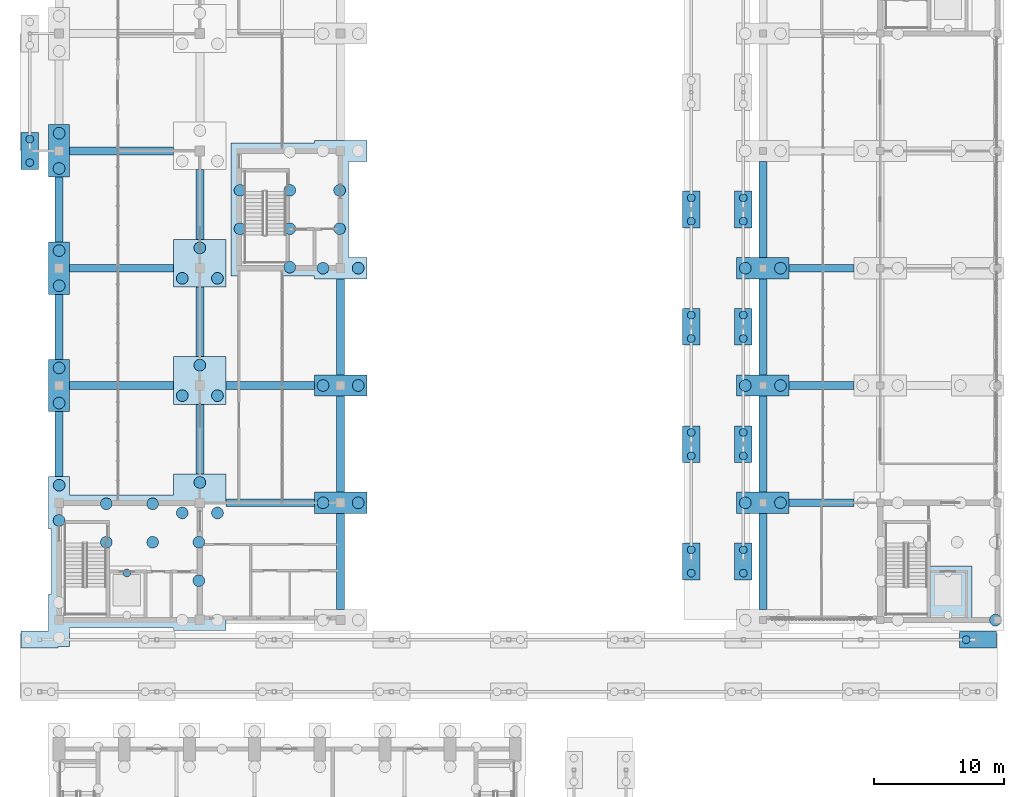
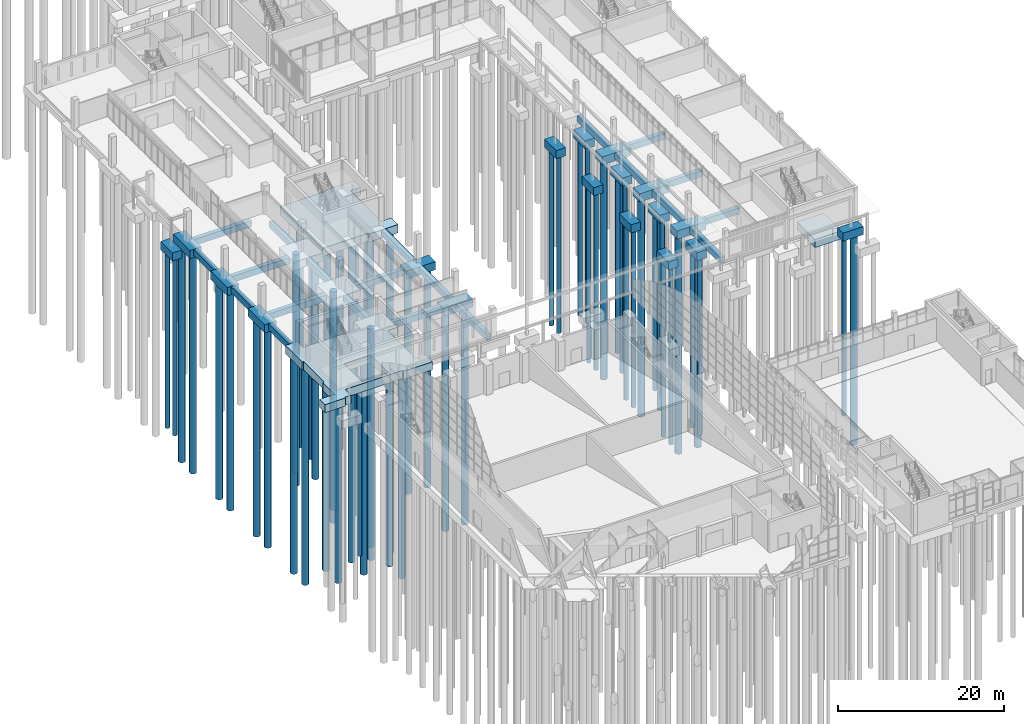
# One storey, part 4 of 106: 63 piles, 44 footings.
"""IFC4 building model written with IfcOpenShell, lengths in metres."""

from ifc_helpers import new_model, si_unit, direction, frame, origin, origin_2d, place, context, subcontext, project, spatial, polyline, circle, outline, extrude, material, material_profile, profile_set, type_object, element, save


model = new_model("IFC4")

# Units and contexts
model_context = context("Model", 3, precision=1e-05, world=origin(), true_north=direction((0.0, 1.0)))
body_context = subcontext(model_context, "Body", "Model", "MODEL_VIEW")
ifc_project = project(units=[si_unit("LENGTHUNIT", "METRE"), si_unit("AREAUNIT", "SQUARE_METRE"), si_unit("VOLUMEUNIT", "CUBIC_METRE"), si_unit("PLANEANGLEUNIT", "RADIAN"), si_unit("MASSUNIT", "GRAM", prefix="KILO")], contexts=[model_context])

# Site, building, storey
site_placement = place(None, origin())
site = spatial("IfcSite", under=ifc_project, at=site_placement, CompositionType="ELEMENT")
building_placement = place(site_placement, origin())
building = spatial("IfcBuilding", under=site, at=building_placement, Name="Merrow Basin Faculty of Sciences", CompositionType="ELEMENT")
storey_placement = place(building_placement, origin())
storey = spatial("IfcBuildingStorey", under=building, at=storey_placement, Name="L00", CompositionType="ELEMENT", Elevation=0.0)

# Piles
ifc_material_1 = material(Name="Concrete C40/50", Category="concrete")
ifc_material_profile_1 = material_profile(ifc_material_1, circle(Radius=0.300048828125, at=origin_2d()))
ifc_profile_set_1 = profile_set([ifc_material_profile_1], Name="Concrete C40/50")
pile_type_1 = type_object("IfcPileType", Name="Bored pile 600 Concrete C40/50", PredefinedType="BORED", material=ifc_profile_set_1)
for number, where, z_axis, x_axis, name in (
    (1, (-2.25, 96.10009765625, -1.39990234375), (0.0, 0.0, -1.0), (1.0, 0.0, 0.0), "BP 003"),
    (2, (-2.25, 97.89990234375, -1.39990234375), (0.0, 0.0, -1.0), (1.0, 0.0, 0.0), "BP 004"),
    (3, (48.5, 64.60009765625, -1.39990234375), (0.0, 0.0, -1.0), (1.0, 0.0, 0.0), "BP 363"),
    (4, (48.5, 66.39990234375, -1.39990234375), (0.0, 0.0, -1.0), (1.0, 0.0, 0.0), "BP 364"),
    (5, (48.5, 73.60009765625, -1.39990234375), (0.0, 0.0, -1.0), (1.0, 0.0, 0.0), "BP 365"),
    (6, (48.5, 75.39990234375, -1.39990234375), (0.0, 0.0, -1.0), (1.0, 0.0, 0.0), "BP 366"),
    (7, (48.5, 82.60009765625, -1.39990234375), (0.0, 0.0, -1.0), (1.0, 0.0, 0.0), "BP 367"),
    (8, (48.5, 84.39990234375, -1.39990234375), (0.0, 0.0, -1.0), (1.0, 0.0, 0.0), "BP 368"),
    (9, (48.5, 91.60009765625, -1.39990234375), (0.0, 0.0, -1.0), (1.0, 0.0, 0.0), "BP 369"),
    (10, (48.5, 93.39990234375, -1.39990234375), (0.0, 0.0, -1.0), (1.0, 0.0, 0.0), "BP 370"),
    (11, (52.5, 64.60009765625, -1.39990234375), (0.0, 0.0, -1.0), (1.0, 0.0, 0.0), "BP 387"),
    (12, (52.5, 66.39990234375, -1.39990234375), (0.0, 0.0, -1.0), (1.0, 0.0, 0.0), "BP 388"),
    (13, (52.5, 73.60009765625, -1.39990234375), (0.0, 0.0, -1.0), (1.0, 0.0, 0.0), "BP 389"),
    (14, (52.5, 75.39990234375, -1.39990234375), (0.0, 0.0, -1.0), (1.0, 0.0, 0.0), "BP 390"),
    (15, (52.5, 82.60009765625, -1.39990234375), (0.0, 0.0, -1.0), (1.0, 0.0, 0.0), "BP 391"),
    (16, (52.5, 84.39990234375, -1.39990234375), (0.0, 0.0, -1.0), (1.0, 0.0, 0.0), "BP 392"),
    (17, (52.5, 91.60009765625, -1.39990234375), (0.0, 0.0, -1.0), (1.0, 0.0, 0.0), "BP 393"),
    (18, (52.5, 93.39990234375, -1.39990234375), (0.0, 0.0, -1.0), (1.0, 0.0, 0.0), "BP 394"),
    (19, (69.60009765625, 59.5, -1.39990234375), (0.0, 0.0, -1.0), (1.0, 0.0, 0.0), "BP 490"),
    (20, (5.199951171875, 64.6201171875, -2.60009765625), (0.0, 0.0, -1.0), (1.0, 0.0, 0.0), "BP pit 519"),
):
    element("IfcPile", number, at=place(storey_placement, frame(where, z_axis=z_axis, x_axis=x_axis)), inside=storey, type_object=pile_type_1, Name=name, PredefinedType="BORED", context=body_context, shape_type="SweptSolid", body=[
        extrude(circle(Radius=0.300048828125, at=origin_2d()), origin(), (0.0, 0.0, 1.0), 26.10009765625),
    ])
ifc_material_2 = material(Name="Concrete C40/50", Category="concrete")
ifc_material_profile_2 = material_profile(ifc_material_2, circle(Radius=0.449951171875, at=origin_2d()))
ifc_profile_set_2 = profile_set([ifc_material_profile_2], Name="Concrete C40/50")
pile_type_2 = type_object("IfcPileType", Name="Bored pile 900 Concrete C40/50", PredefinedType="BORED", material=ifc_profile_set_2)
for number, where, z_axis, x_axis, name in (
    (21, (0.0, 68.64990234375, -1.39990234375), (0.0, 0.0, -1.0), (1.0, 0.0, 0.0), "BP 025"),
    (22, (0.0, 71.35009765625, -1.39990234375), (0.0, 0.0, -1.0), (1.0, 0.0, 0.0), "BP 026"),
    (23, (0.0, 77.64990234375, -1.39990234375), (0.0, 0.0, -1.0), (1.0, 0.0, 0.0), "BP 027"),
    (24, (0.0, 80.35009765625, -1.39990234375), (0.0, 0.0, -1.0), (1.0, 0.0, 0.0), "BP 028"),
    (25, (0.0, 86.64990234375, -1.39990234375), (0.0, 0.0, -1.0), (1.0, 0.0, 0.0), "BP 029"),
    (26, (0.0, 89.35009765625, -1.39990234375), (0.0, 0.0, -1.0), (1.0, 0.0, 0.0), "BP 030"),
    (27, (0.0, 95.64990234375, -1.39990234375), (0.0, 0.0, -1.0), (1.0, 0.0, 0.0), "BP 031"),
    (28, (0.0, 98.35009765625, -1.39990234375), (0.0, 0.0, -1.0), (1.0, 0.0, 0.0), "BP 032"),
    (29, (3.626953125, 66.972900390625, -1.39990234375), (0.0, 0.0, -1.0), (1.0, 0.0, 0.0), "BP 059"),
    (30, (3.626953125, 69.919921875, -1.39990234375), (0.0, 0.0, -1.0), (1.0, 0.0, 0.0), "BP 060"),
    (31, (7.173095703125, 66.972900390625, -1.39990234375), (0.0, 0.0, -1.0), (1.0, 0.0, 0.0), "BP 070"),
    (32, (7.173095703125, 69.919921875, -1.39990234375), (0.0, 0.0, -1.0), (1.0, 0.0, 0.0), "BP 071"),
    (33, (9.449951171875, 69.220947265625, -1.39990234375), (0.0, 0.0, -1.0), (1.0, 0.0, 0.0), "BP 085"),
    (34, (9.449951171875, 78.220947265625, -1.39990234375), (0.0, 0.0, -1.0), (1.0, 0.0, 0.0), "BP 086"),
    (35, (9.449951171875, 87.220947265625, -1.39990234375), (0.0, 0.0, -1.0), (1.0, 0.0, 0.0), "BP 087"),
    (36, (10.719970703125, 64.027099609375, -1.39990234375), (0.0, 0.0, -1.0), (1.0, 0.0, 0.0), "BP 099"),
    (37, (10.719970703125, 66.972900390625, -1.39990234375), (0.0, 0.0, -1.0), (1.0, 0.0, 0.0), "BP 100"),
    (38, (10.800048828125, 71.55908203125, -1.39990234375), (0.0, 0.0, -1.0), (1.0, 0.0, 0.0), "BP 102"),
    (39, (10.800048828125, 80.55908203125, -1.39990234375), (0.0, 0.0, -1.0), (1.0, 0.0, 0.0), "BP 103"),
    (40, (10.800048828125, 89.55908203125, -1.39990234375), (0.0, 0.0, -1.0), (1.0, 0.0, 0.0), "BP 104"),
    (41, (12.14990234375, 69.220947265625, -1.39990234375), (0.0, 0.0, -1.0), (1.0, 0.0, 0.0), "BP 111"),
    (42, (12.14990234375, 78.220947265625, -1.39990234375), (0.0, 0.0, -1.0), (1.0, 0.0, 0.0), "BP 112"),
    (43, (12.14990234375, 87.220947265625, -1.39990234375), (0.0, 0.0, -1.0), (1.0, 0.0, 0.0), "BP 113"),
    (44, (13.8798828125, 91.027099609375, -1.39990234375), (0.0, 0.0, -1.0), (1.0, 0.0, 0.0), "BP 126"),
    (45, (13.8798828125, 93.972900390625, -1.39990234375), (0.0, 0.0, -1.0), (1.0, 0.0, 0.0), "BP 127"),
    (46, (17.699951171875, 88.080078125, -1.39990234375), (0.0, 0.0, -1.0), (1.0, 0.0, 0.0), "BP 151"),
    (47, (17.699951171875, 91.027099609375, -1.39990234375), (0.0, 0.0, -1.0), (1.0, 0.0, 0.0), "BP 152"),
    (48, (17.699951171875, 93.972900390625, -1.39990234375), (0.0, 0.0, -1.0), (1.0, 0.0, 0.0), "BP 153"),
    (49, (20.25, 70.0, -1.39990234375), (0.0, 0.0, -1.0), (1.0, 0.0, 0.0), "BP 175"),
    (50, (20.25, 79.0, -1.39990234375), (0.0, 0.0, -1.0), (1.0, 0.0, 0.0), "BP 176"),
    (51, (20.25, 88.0, -1.39990234375), (0.0, 0.0, -1.0), (1.0, 0.0, 0.0), "BP 177"),
    (52, (21.52001953125, 91.027099609375, -1.39990234375), (0.0, 0.0, -1.0), (1.0, 0.0, 0.0), "BP 187"),
    (53, (21.52001953125, 93.972900390625, -1.39990234375), (0.0, 0.0, -1.0), (1.0, 0.0, 0.0), "BP 188"),
    (54, (22.949951171875, 70.0, -1.39990234375), (0.0, 0.0, -1.0), (1.0, 0.0, 0.0), "BP 200"),
    (55, (22.949951171875, 79.0, -1.39990234375), (0.0, 0.0, -1.0), (1.0, 0.0, 0.0), "BP 201"),
    (56, (22.949951171875, 88.0, -1.39990234375), (0.0, 0.0, -1.0), (1.0, 0.0, 0.0), "BP 202"),
    (57, (52.64990234375, 70.0, -1.39990234375), (0.0, 0.0, -1.0), (1.0, 0.0, 0.0), "BP 400"),
    (58, (52.64990234375, 79.0, -1.39990234375), (0.0, 0.0, -1.0), (1.0, 0.0, 0.0), "BP 401"),
    (59, (52.64990234375, 88.0, -1.39990234375), (0.0, 0.0, -1.0), (1.0, 0.0, 0.0), "BP 402"),
    (60, (55.35009765625, 70.0, -1.39990234375), (0.0, 0.0, -1.0), (1.0, 0.0, 0.0), "BP 424"),
    (61, (55.35009765625, 79.0, -1.39990234375), (0.0, 0.0, -1.0), (1.0, 0.0, 0.0), "BP 425"),
    (62, (55.35009765625, 88.0, -1.39990234375), (0.0, 0.0, -1.0), (1.0, 0.0, 0.0), "BP 426"),
    (63, (71.840087890625, 61.0, -1.39990234375), (0.0, 0.0, -1.0), (1.0, 0.0, 0.0), "BP 507"),
):
    element("IfcPile", number, at=place(storey_placement, frame(where, z_axis=z_axis, x_axis=x_axis)), inside=storey, type_object=pile_type_2, Name=name, PredefinedType="BORED", context=body_context, shape_type="SweptSolid", body=[
        extrude(circle(Radius=0.449951171875, at=origin_2d()), origin(), (0.0, 0.0, 1.0), 32.10009765625),
    ])

# Footings
ifc_material_3 = material(Name="Concrete C40/50", Category="concrete")
footing_type_1 = type_object("IfcFootingType", Name="Ground beam 600x900 Concrete C40/50", PredefinedType="FOOTING_BEAM", material=ifc_material_3)
footing_1_placement = place(storey_placement, frame((0.0, 0.0, -1.199951171875)))
element("IfcFooting", 64, at=footing_1_placement, inside=storey, type_object=footing_type_1, Name="GB 002", PredefinedType="FOOTING_BEAM", context=body_context, shape_type="SweptSolid", body=[
    extrude(outline(polyline([(12.81005859375, 69.699951171875), (19.590087890625, 69.699951171875), (19.590087890625, 70.300048828125), (12.81005859375, 70.300048828125), (12.81005859375, 69.699951171875)])), origin(), (0.0, 0.0, 1.0), 0.89990234375),
])
footing_2_placement = place(storey_placement, frame((0.0, 0.0, -1.199951171875)))
element("IfcFooting", 65, at=footing_2_placement, inside=storey, type_object=footing_type_1, Name="GB 003", PredefinedType="FOOTING_BEAM", context=body_context, shape_type="SweptSolid", body=[
    extrude(outline(polyline([(0.81005859375, 78.699951171875), (8.7900390625, 78.699951171875), (8.7900390625, 79.300048828125), (0.81005859375, 79.300048828125), (0.81005859375, 78.699951171875)])), origin(), (0.0, 0.0, 1.0), 0.89990234375),
])
footing_3_placement = place(storey_placement, frame((0.0, 0.0, -1.199951171875)))
element("IfcFooting", 66, at=footing_3_placement, inside=storey, type_object=footing_type_1, Name="GB 004", PredefinedType="FOOTING_BEAM", context=body_context, shape_type="SweptSolid", body=[
    extrude(outline(polyline([(12.81005859375, 78.699951171875), (19.590087890625, 78.699951171875), (19.590087890625, 79.300048828125), (12.81005859375, 79.300048828125), (12.81005859375, 78.699951171875)])), origin(), (0.0, 0.0, 1.0), 0.89990234375),
])
footing_4_placement = place(storey_placement, frame((0.0, 0.0, -1.199951171875)))
element("IfcFooting", 67, at=footing_4_placement, inside=storey, type_object=footing_type_1, Name="GB 005", PredefinedType="FOOTING_BEAM", context=body_context, shape_type="SweptSolid", body=[
    extrude(outline(polyline([(0.81005859375, 87.699951171875), (8.7900390625, 87.699951171875), (8.7900390625, 88.300048828125), (0.81005859375, 88.300048828125), (0.81005859375, 87.699951171875)])), origin(), (0.0, 0.0, 1.0), 0.89990234375),
])
footing_5_placement = place(storey_placement, frame((0.0, 0.0, -1.199951171875)))
element("IfcFooting", 68, at=footing_5_placement, inside=storey, type_object=footing_type_1, Name="GB 006", PredefinedType="FOOTING_BEAM", context=body_context, shape_type="SweptSolid", body=[
    extrude(outline(polyline([(0.81005859375, 96.699951171875), (8.7900390625, 96.699951171875), (8.7900390625, 97.300048828125), (0.81005859375, 97.300048828125), (0.81005859375, 96.699951171875)])), origin(), (0.0, 0.0, 1.0), 0.89990234375),
])
footing_6_placement = place(storey_placement, frame((0.0, 0.0, -1.199951171875)))
element("IfcFooting", 69, at=footing_6_placement, inside=storey, type_object=footing_type_1, Name="GB 013", PredefinedType="FOOTING_BEAM", context=body_context, shape_type="SweptSolid", body=[
    extrude(outline(polyline([(-0.300048828125, 72.010009765625), (0.300048828125, 72.010009765625), (0.300048828125, 76.989990234375), (-0.300048828125, 76.989990234375), (-0.300048828125, 72.010009765625)])), origin(), (0.0, 0.0, 1.0), 0.89990234375),
])
footing_7_placement = place(storey_placement, frame((0.0, 0.0, -1.199951171875)))
element("IfcFooting", 70, at=footing_7_placement, inside=storey, type_object=footing_type_1, Name="GB 014", PredefinedType="FOOTING_BEAM", context=body_context, shape_type="SweptSolid", body=[
    extrude(outline(polyline([(-0.300048828125, 81.010009765625), (0.300048828125, 81.010009765625), (0.300048828125, 85.989990234375), (-0.300048828125, 85.989990234375), (-0.300048828125, 81.010009765625)])), origin(), (0.0, 0.0, 1.0), 0.89990234375),
])
footing_8_placement = place(storey_placement, frame((0.0, 0.0, -1.199951171875)))
element("IfcFooting", 71, at=footing_8_placement, inside=storey, type_object=footing_type_1, Name="GB 015", PredefinedType="FOOTING_BEAM", context=body_context, shape_type="SweptSolid", body=[
    extrude(outline(polyline([(-0.300048828125, 90.010009765625), (0.300048828125, 90.010009765625), (0.300048828125, 94.989990234375), (-0.300048828125, 94.989990234375), (-0.300048828125, 90.010009765625)])), origin(), (0.0, 0.0, 1.0), 0.89990234375),
])
footing_9_placement = place(storey_placement, frame((0.0, 0.0, -1.199951171875)))
element("IfcFooting", 72, at=footing_9_placement, inside=storey, type_object=footing_type_1, Name="GB 020", PredefinedType="FOOTING_BEAM", context=body_context, shape_type="SweptSolid", body=[
    extrude(outline(polyline([(10.5, 72.218994140625), (11.10009765625, 72.218994140625), (11.10009765625, 77.56103515625), (10.5, 77.56103515625), (10.5, 72.218994140625)])), origin(), (0.0, 0.0, 1.0), 0.89990234375),
])
footing_10_placement = place(storey_placement, frame((0.0, 0.0, -1.199951171875)))
element("IfcFooting", 73, at=footing_10_placement, inside=storey, type_object=footing_type_1, Name="GB 021", PredefinedType="FOOTING_BEAM", context=body_context, shape_type="SweptSolid", body=[
    extrude(outline(polyline([(10.5, 81.218994140625), (11.10009765625, 81.218994140625), (11.10009765625, 86.56103515625), (10.5, 86.56103515625), (10.5, 81.218994140625)])), origin(), (0.0, 0.0, 1.0), 0.89990234375),
])
footing_11_placement = place(storey_placement, frame((0.0, 0.0, -1.199951171875)))
element("IfcFooting", 74, at=footing_11_placement, inside=storey, type_object=footing_type_1, Name="GB 022", PredefinedType="FOOTING_BEAM", context=body_context, shape_type="SweptSolid", body=[
    extrude(outline(polyline([(10.5, 90.218994140625), (11.10009765625, 90.218994140625), (11.10009765625, 95.56103515625), (10.5, 95.56103515625), (10.5, 90.218994140625)])), origin(), (0.0, 0.0, 1.0), 0.89990234375),
])
footing_12_placement = place(storey_placement, frame((0.0, 0.0, -1.199951171875)))
element("IfcFooting", 75, at=footing_12_placement, inside=storey, type_object=footing_type_1, Name="GB 026", PredefinedType="FOOTING_BEAM", context=body_context, shape_type="SweptSolid", body=[
    extrude(outline(polyline([(21.300048828125, 61.81005859375), (21.89990234375, 61.81005859375), (21.89990234375, 69.18994140625), (21.300048828125, 69.18994140625), (21.300048828125, 61.81005859375)])), origin(), (0.0, 0.0, 1.0), 0.89990234375),
])
footing_13_placement = place(storey_placement, frame((0.0, 0.0, -1.199951171875)))
element("IfcFooting", 76, at=footing_13_placement, inside=storey, type_object=footing_type_1, Name="GB 027", PredefinedType="FOOTING_BEAM", context=body_context, shape_type="SweptSolid", body=[
    extrude(outline(polyline([(21.300048828125, 70.81005859375), (21.89990234375, 70.81005859375), (21.89990234375, 78.18994140625), (21.300048828125, 78.18994140625), (21.300048828125, 70.81005859375)])), origin(), (0.0, 0.0, 1.0), 0.89990234375),
])
footing_14_placement = place(storey_placement, frame((0.0, 0.0, -1.199951171875)))
element("IfcFooting", 77, at=footing_14_placement, inside=storey, type_object=footing_type_1, Name="GB 028", PredefinedType="FOOTING_BEAM", context=body_context, shape_type="SweptSolid", body=[
    extrude(outline(polyline([(21.300048828125, 79.81005859375), (21.89990234375, 79.81005859375), (21.89990234375, 87.18994140625), (21.300048828125, 87.18994140625), (21.300048828125, 79.81005859375)])), origin(), (0.0, 0.0, 1.0), 0.89990234375),
])
footing_15_placement = place(storey_placement, frame((0.0, 0.0, -1.199951171875)))
element("IfcFooting", 78, at=footing_15_placement, inside=storey, type_object=footing_type_1, Name="GB 033", PredefinedType="FOOTING_BEAM", context=body_context, shape_type="SweptSolid", body=[
    extrude(outline(polyline([(56.010009765625, 69.699951171875), (60.989990234375, 69.699951171875), (60.989990234375, 70.300048828125), (56.010009765625, 70.300048828125), (56.010009765625, 69.699951171875)])), origin(), (0.0, 0.0, 1.0), 0.89990234375),
])
footing_16_placement = place(storey_placement, frame((0.0, 0.0, -1.199951171875)))
element("IfcFooting", 79, at=footing_16_placement, inside=storey, type_object=footing_type_1, Name="GB 034", PredefinedType="FOOTING_BEAM", context=body_context, shape_type="SweptSolid", body=[
    extrude(outline(polyline([(56.010009765625, 78.699951171875), (60.989990234375, 78.699951171875), (60.989990234375, 79.300048828125), (56.010009765625, 79.300048828125), (56.010009765625, 78.699951171875)])), origin(), (0.0, 0.0, 1.0), 0.89990234375),
])
footing_17_placement = place(storey_placement, frame((0.0, 0.0, -1.199951171875)))
element("IfcFooting", 80, at=footing_17_placement, inside=storey, type_object=footing_type_1, Name="GB 036", PredefinedType="FOOTING_BEAM", context=body_context, shape_type="SweptSolid", body=[
    extrude(outline(polyline([(56.010009765625, 87.699951171875), (60.989990234375, 87.699951171875), (60.989990234375, 88.300048828125), (56.010009765625, 88.300048828125), (56.010009765625, 87.699951171875)])), origin(), (0.0, 0.0, 1.0), 0.89990234375),
])
footing_18_placement = place(storey_placement, frame((0.0, 0.0, -1.199951171875)))
element("IfcFooting", 81, at=footing_18_placement, inside=storey, type_object=footing_type_1, Name="GB 055", PredefinedType="FOOTING_BEAM", context=body_context, shape_type="SweptSolid", body=[
    extrude(outline(polyline([(53.699951171875, 61.81005859375), (54.300048828125, 61.81005859375), (54.300048828125, 69.18994140625), (53.699951171875, 69.18994140625), (53.699951171875, 61.81005859375)])), origin(), (0.0, 0.0, 1.0), 0.89990234375),
])
footing_19_placement = place(storey_placement, frame((0.0, 0.0, -1.199951171875)))
element("IfcFooting", 82, at=footing_19_placement, inside=storey, type_object=footing_type_1, Name="GB 056", PredefinedType="FOOTING_BEAM", context=body_context, shape_type="SweptSolid", body=[
    extrude(outline(polyline([(53.699951171875, 70.81005859375), (54.300048828125, 70.81005859375), (54.300048828125, 78.18994140625), (53.699951171875, 78.18994140625), (53.699951171875, 70.81005859375)])), origin(), (0.0, 0.0, 1.0), 0.89990234375),
])
footing_20_placement = place(storey_placement, frame((0.0, 0.0, -1.199951171875)))
element("IfcFooting", 83, at=footing_20_placement, inside=storey, type_object=footing_type_1, Name="GB 057", PredefinedType="FOOTING_BEAM", context=body_context, shape_type="SweptSolid", body=[
    extrude(outline(polyline([(53.699951171875, 79.81005859375), (54.300048828125, 79.81005859375), (54.300048828125, 87.18994140625), (53.699951171875, 87.18994140625), (53.699951171875, 79.81005859375)])), origin(), (0.0, 0.0, 1.0), 0.89990234375),
])
footing_21_placement = place(storey_placement, frame((0.0, 0.0, -1.199951171875)))
element("IfcFooting", 84, at=footing_21_placement, inside=storey, type_object=footing_type_1, Name="GB 058", PredefinedType="FOOTING_BEAM", context=body_context, shape_type="SweptSolid", body=[
    extrude(outline(polyline([(53.699951171875, 88.81005859375), (54.300048828125, 88.81005859375), (54.300048828125, 96.18994140625), (53.699951171875, 96.18994140625), (53.699951171875, 88.81005859375)])), origin(), (0.0, 0.0, 1.0), 0.89990234375),
])
ifc_material_4 = material(Name="Concrete C40/50", Category="concrete")
footing_type_2 = type_object("IfcFootingType", Name="Lift pit raft 3700x4300 Concrete C40/50", PredefinedType="PILE_CAP", material=ifc_material_4)
footing_22_placement = place(storey_placement, frame((0.0, 0.0, -2.699951171875)))
element("IfcFooting", 85, at=footing_22_placement, inside=storey, type_object=footing_type_2, Name="Lift pit raft 9", PredefinedType="PILE_CAP", context=body_context, shape_type="SweptSolid", body=[
    extrude(outline(polyline([(70.050048828125, 60.85009765625), (66.35009765625, 60.85009765625), (66.35009765625, 65.14990234375), (70.050048828125, 65.14990234375), (70.050048828125, 60.85009765625)])), origin(), (0.0, 0.0, 1.0), 1.199951171875),
])
ifc_material_5 = material(Name="Concrete C40/50", Category="concrete")
footing_type_3 = type_object("IfcFootingType", Name="Pile cap 1 piles 2820x1320 Concrete C40/50", PredefinedType="PILE_CAP", material=ifc_material_5)
footing_23_placement = place(storey_placement, frame((0.0, 0.0, -1.5)))
element("IfcFooting", 86, at=footing_23_placement, inside=storey, type_object=footing_type_3, Name="PC6 129", PredefinedType="PILE_CAP", context=body_context, shape_type="SweptSolid", body=[
    extrude(outline(polyline([(69.090087890625, 60.159912109375), (71.909912109375, 60.159912109375), (71.909912109375, 58.840087890625), (69.090087890625, 58.840087890625), (69.090087890625, 60.159912109375)])), origin(), (0.0, 0.0, 1.0), 1.199951171875),
])
ifc_material_6 = material(Name="Concrete C40/50", Category="concrete")
footing_type_4 = type_object("IfcFootingType", Name="Pile cap 2 piles 1320x2820 Concrete C40/50", PredefinedType="PILE_CAP", material=ifc_material_6)
footing_24_placement = place(storey_placement, frame((0.0, 0.0, -1.5)))
element("IfcFooting", 87, at=footing_24_placement, inside=storey, type_object=footing_type_4, Name="PC3 003", PredefinedType="PILE_CAP", context=body_context, shape_type="SweptSolid", body=[
    extrude(outline(polyline([(-2.909912109375, 98.409912109375), (-1.590087890625, 98.409912109375), (-1.590087890625, 95.590087890625), (-2.909912109375, 95.590087890625), (-2.909912109375, 98.409912109375)])), origin(), (0.0, 0.0, 1.0), 1.199951171875),
])
footing_25_placement = place(storey_placement, frame((0.0, 0.0, -1.5)))
element("IfcFooting", 88, at=footing_25_placement, inside=storey, type_object=footing_type_4, Name="PC3 082", PredefinedType="PILE_CAP", context=body_context, shape_type="SweptSolid", body=[
    extrude(outline(polyline([(47.840087890625, 66.909912109375), (49.159912109375, 66.909912109375), (49.159912109375, 64.090087890625), (47.840087890625, 64.090087890625), (47.840087890625, 66.909912109375)])), origin(), (0.0, 0.0, 1.0), 1.199951171875),
])
footing_26_placement = place(storey_placement, frame((0.0, 0.0, -1.5)))
element("IfcFooting", 89, at=footing_26_placement, inside=storey, type_object=footing_type_4, Name="PC3 083", PredefinedType="PILE_CAP", context=body_context, shape_type="SweptSolid", body=[
    extrude(outline(polyline([(47.840087890625, 75.909912109375), (49.159912109375, 75.909912109375), (49.159912109375, 73.090087890625), (47.840087890625, 73.090087890625), (47.840087890625, 75.909912109375)])), origin(), (0.0, 0.0, 1.0), 1.199951171875),
])
footing_27_placement = place(storey_placement, frame((0.0, 0.0, -1.5)))
element("IfcFooting", 90, at=footing_27_placement, inside=storey, type_object=footing_type_4, Name="PC3 084", PredefinedType="PILE_CAP", context=body_context, shape_type="SweptSolid", body=[
    extrude(outline(polyline([(47.840087890625, 84.909912109375), (49.159912109375, 84.909912109375), (49.159912109375, 82.090087890625), (47.840087890625, 82.090087890625), (47.840087890625, 84.909912109375)])), origin(), (0.0, 0.0, 1.0), 1.199951171875),
])
footing_28_placement = place(storey_placement, frame((0.0, 0.0, -1.5)))
element("IfcFooting", 91, at=footing_28_placement, inside=storey, type_object=footing_type_4, Name="PC3 085", PredefinedType="PILE_CAP", context=body_context, shape_type="SweptSolid", body=[
    extrude(outline(polyline([(47.840087890625, 93.909912109375), (49.159912109375, 93.909912109375), (49.159912109375, 91.090087890625), (47.840087890625, 91.090087890625), (47.840087890625, 93.909912109375)])), origin(), (0.0, 0.0, 1.0), 1.199951171875),
])
footing_29_placement = place(storey_placement, frame((0.0, 0.0, -1.5)))
element("IfcFooting", 92, at=footing_29_placement, inside=storey, type_object=footing_type_4, Name="PC3 093", PredefinedType="PILE_CAP", context=body_context, shape_type="SweptSolid", body=[
    extrude(outline(polyline([(51.840087890625, 66.909912109375), (53.159912109375, 66.909912109375), (53.159912109375, 64.090087890625), (51.840087890625, 64.090087890625), (51.840087890625, 66.909912109375)])), origin(), (0.0, 0.0, 1.0), 1.199951171875),
])
footing_30_placement = place(storey_placement, frame((0.0, 0.0, -1.5)))
element("IfcFooting", 93, at=footing_30_placement, inside=storey, type_object=footing_type_4, Name="PC3 094", PredefinedType="PILE_CAP", context=body_context, shape_type="SweptSolid", body=[
    extrude(outline(polyline([(51.840087890625, 73.090087890625), (51.840087890625, 75.909912109375), (53.159912109375, 75.909912109375), (53.159912109375, 73.090087890625), (51.840087890625, 73.090087890625)])), origin(), (0.0, 0.0, 1.0), 1.199951171875),
])
footing_31_placement = place(storey_placement, frame((0.0, 0.0, -1.5)))
element("IfcFooting", 94, at=footing_31_placement, inside=storey, type_object=footing_type_4, Name="PC3 095", PredefinedType="PILE_CAP", context=body_context, shape_type="SweptSolid", body=[
    extrude(outline(polyline([(51.840087890625, 84.909912109375), (53.159912109375, 84.909912109375), (53.159912109375, 82.090087890625), (51.840087890625, 82.090087890625), (51.840087890625, 84.909912109375)])), origin(), (0.0, 0.0, 1.0), 1.199951171875),
])
footing_32_placement = place(storey_placement, frame((0.0, 0.0, -1.5)))
element("IfcFooting", 95, at=footing_32_placement, inside=storey, type_object=footing_type_4, Name="PC3 096", PredefinedType="PILE_CAP", context=body_context, shape_type="SweptSolid", body=[
    extrude(outline(polyline([(51.840087890625, 93.909912109375), (53.159912109375, 93.909912109375), (53.159912109375, 91.090087890625), (51.840087890625, 91.090087890625), (51.840087890625, 93.909912109375)])), origin(), (0.0, 0.0, 1.0), 1.199951171875),
])
ifc_material_7 = material(Name="Concrete C40/50", Category="concrete")
footing_type_5 = type_object("IfcFootingType", Name="Pile cap 2 piles 1620x4020 Concrete C40/50", PredefinedType="PILE_CAP", material=ifc_material_7)
footing_33_placement = place(storey_placement, frame((0.0, 0.0, -1.5)))
element("IfcFooting", 96, at=footing_33_placement, inside=storey, type_object=footing_type_5, Name="PC4 007", PredefinedType="PILE_CAP", context=body_context, shape_type="SweptSolid", body=[
    extrude(outline(polyline([(-0.81005859375, 81.010009765625), (0.81005859375, 81.010009765625), (0.81005859375, 76.989990234375), (-0.81005859375, 76.989990234375), (-0.81005859375, 81.010009765625)])), origin(), (0.0, 0.0, 1.0), 1.199951171875),
])
footing_34_placement = place(storey_placement, frame((0.0, 0.0, -1.5)))
element("IfcFooting", 97, at=footing_34_placement, inside=storey, type_object=footing_type_5, Name="PC4 008", PredefinedType="PILE_CAP", context=body_context, shape_type="SweptSolid", body=[
    extrude(outline(polyline([(-0.81005859375, 85.989990234375), (-0.81005859375, 90.010009765625), (0.81005859375, 90.010009765625), (0.81005859375, 85.989990234375), (-0.81005859375, 85.989990234375)])), origin(), (0.0, 0.0, 1.0), 1.199951171875),
])
footing_35_placement = place(storey_placement, frame((0.0, 0.0, -1.5)))
element("IfcFooting", 98, at=footing_35_placement, inside=storey, type_object=footing_type_5, Name="PC4 009", PredefinedType="PILE_CAP", context=body_context, shape_type="SweptSolid", body=[
    extrude(outline(polyline([(-0.81005859375, 99.010009765625), (0.81005859375, 99.010009765625), (0.81005859375, 94.989990234375), (-0.81005859375, 94.989990234375), (-0.81005859375, 99.010009765625)])), origin(), (0.0, 0.0, 1.0), 1.199951171875),
])
ifc_material_8 = material(Name="Concrete C40/50", Category="concrete")
footing_type_6 = type_object("IfcFootingType", Name="Pile cap 2 piles 4020x1620 Concrete C40/50", PredefinedType="PILE_CAP", material=ifc_material_8)
footing_36_placement = place(storey_placement, frame((0.0, 0.0, -1.5)))
element("IfcFooting", 99, at=footing_36_placement, inside=storey, type_object=footing_type_6, Name="PC13 036", PredefinedType="PILE_CAP", context=body_context, shape_type="SweptSolid", body=[
    extrude(outline(polyline([(19.590087890625, 70.81005859375), (23.610107421875, 70.81005859375), (23.610107421875, 69.18994140625), (19.590087890625, 69.18994140625), (19.590087890625, 70.81005859375)])), origin(), (0.0, 0.0, 1.0), 1.199951171875),
])
footing_37_placement = place(storey_placement, frame((0.0, 0.0, -1.5)))
element("IfcFooting", 100, at=footing_37_placement, inside=storey, type_object=footing_type_6, Name="PC13 037", PredefinedType="PILE_CAP", context=body_context, shape_type="SweptSolid", body=[
    extrude(outline(polyline([(19.590087890625, 79.81005859375), (23.610107421875, 79.81005859375), (23.610107421875, 78.18994140625), (19.590087890625, 78.18994140625), (19.590087890625, 79.81005859375)])), origin(), (0.0, 0.0, 1.0), 1.199951171875),
])
footing_38_placement = place(storey_placement, frame((0.0, 0.0, -1.5)))
element("IfcFooting", 101, at=footing_38_placement, inside=storey, type_object=footing_type_6, Name="PC13 099", PredefinedType="PILE_CAP", context=body_context, shape_type="SweptSolid", body=[
    extrude(outline(polyline([(51.989990234375, 70.81005859375), (56.010009765625, 70.81005859375), (56.010009765625, 69.18994140625), (51.989990234375, 69.18994140625), (51.989990234375, 70.81005859375)])), origin(), (0.0, 0.0, 1.0), 1.199951171875),
])
footing_39_placement = place(storey_placement, frame((0.0, 0.0, -1.5)))
element("IfcFooting", 102, at=footing_39_placement, inside=storey, type_object=footing_type_6, Name="PC13 100", PredefinedType="PILE_CAP", context=body_context, shape_type="SweptSolid", body=[
    extrude(outline(polyline([(51.989990234375, 79.81005859375), (56.010009765625, 79.81005859375), (56.010009765625, 78.18994140625), (51.989990234375, 78.18994140625), (51.989990234375, 79.81005859375)])), origin(), (0.0, 0.0, 1.0), 1.199951171875),
])
footing_40_placement = place(storey_placement, frame((0.0, 0.0, -1.5)))
element("IfcFooting", 103, at=footing_40_placement, inside=storey, type_object=footing_type_6, Name="PC13 101", PredefinedType="PILE_CAP", context=body_context, shape_type="SweptSolid", body=[
    extrude(outline(polyline([(51.989990234375, 88.81005859375), (56.010009765625, 88.81005859375), (56.010009765625, 87.18994140625), (51.989990234375, 87.18994140625), (51.989990234375, 88.81005859375)])), origin(), (0.0, 0.0, 1.0), 1.199951171875),
])
ifc_material_9 = material(Name="Concrete C40/50", Category="concrete")
footing_type_7 = type_object("IfcFootingType", Name="Pile cap 3 piles 4020x3658 Concrete C40/50", PredefinedType="PILE_CAP", material=ifc_material_9)
footing_41_placement = place(storey_placement, frame((0.0, 0.0, -1.5)))
element("IfcFooting", 104, at=footing_41_placement, inside=storey, type_object=footing_type_7, Name="PC7 017", PredefinedType="PILE_CAP", context=body_context, shape_type="SweptSolid", body=[
    extrude(outline(polyline([(8.7900390625, 81.21875), (12.81005859375, 81.21875), (12.81005859375, 77.560546875), (8.7900390625, 77.560546875), (8.7900390625, 81.21875)])), origin(), (0.0, 0.0, 1.0), 1.199951171875),
])
footing_42_placement = place(storey_placement, frame((0.0, 0.0, -1.5)))
element("IfcFooting", 105, at=footing_42_placement, inside=storey, type_object=footing_type_7, Name="PC7 018", PredefinedType="PILE_CAP", context=body_context, shape_type="SweptSolid", body=[
    extrude(outline(polyline([(8.7900390625, 90.21875), (12.81005859375, 90.21875), (12.81005859375, 86.560546875), (8.7900390625, 86.560546875), (8.7900390625, 90.21875)])), origin(), (0.0, 0.0, 1.0), 1.199951171875),
])
ifc_material_10 = material(Name="Concrete C40/50", Category="concrete")
footing_type_8 = type_object("IfcFootingType", Name="Pile raft 02 Concrete C40/50", PredefinedType="PILE_CAP", material=ifc_material_10)
footing_43_placement = place(storey_placement, frame((0.0, 0.0, -1.5)))
element("IfcFooting", 106, at=footing_43_placement, inside=storey, type_object=footing_type_8, Name="PC2 002", PredefinedType="PILE_CAP", context=body_context, shape_type="SweptSolid", body=[
    extrude(outline(polyline([(-0.60009765625, 67.989990234375), (-0.81005859375, 67.989990234375), (-0.81005859375, 72.010009765625), (0.81005859375, 72.010009765625), (0.81005859375, 70.60009765625), (8.7900390625, 70.60009765625), (8.7900390625, 72.21875), (12.81005859375, 72.21875), (12.81005859375, 68.560546875), (11.39990234375, 68.560546875), (11.39990234375, 61.81005859375), (12.81005859375, 61.81005859375), (12.81005859375, 60.18994140625), (8.7900390625, 60.18994140625), (8.7900390625, 60.39990234375), (0.81005859375, 60.39990234375), (0.81005859375, 58.989990234375), (-0.090087890625, 58.989990234375), (-0.090087890625, 58.840087890625), (-2.909912109375, 58.840087890625), (-2.909912109375, 60.159912109375), (-0.81005859375, 60.159912109375), (-0.81005859375, 63.010009765625), (-0.60009765625, 63.010009765625), (-0.60009765625, 67.989990234375)]), holes=[polyline([(3.35009765625, 60.85009765625), (7.050048828125, 60.85009765625), (7.050048828125, 65.14990234375), (3.35009765625, 65.14990234375), (3.35009765625, 60.85009765625)])]), origin(), (0.0, 0.0, 1.0), 1.199951171875),
])
ifc_material_11 = material(Name="Concrete C40/50", Category="concrete")
footing_type_9 = type_object("IfcFootingType", Name="Pile raft 25 Concrete C40/50", PredefinedType="PILE_CAP", material=ifc_material_11)
footing_44_placement = place(storey_placement, frame((0.0, 0.0, -1.5)))
element("IfcFooting", 107, at=footing_44_placement, inside=storey, type_object=footing_type_9, Name="PC10 025", PredefinedType="PILE_CAP", context=body_context, shape_type="SweptSolid", body=[
    extrude(outline(polyline([(19.590087890625, 97.81005859375), (23.610107421875, 97.81005859375), (23.610107421875, 96.18994140625), (22.199951171875, 96.18994140625), (22.199951171875, 88.81005859375), (23.610107421875, 88.81005859375), (23.610107421875, 87.18994140625), (19.590087890625, 87.18994140625), (19.590087890625, 87.39990234375), (13.199951171875, 87.39990234375), (13.199951171875, 97.60009765625), (19.590087890625, 97.60009765625), (19.590087890625, 97.81005859375)])), origin(), (0.0, 0.0, 1.0), 1.199951171875),
])

save(model, "model.ifc")
